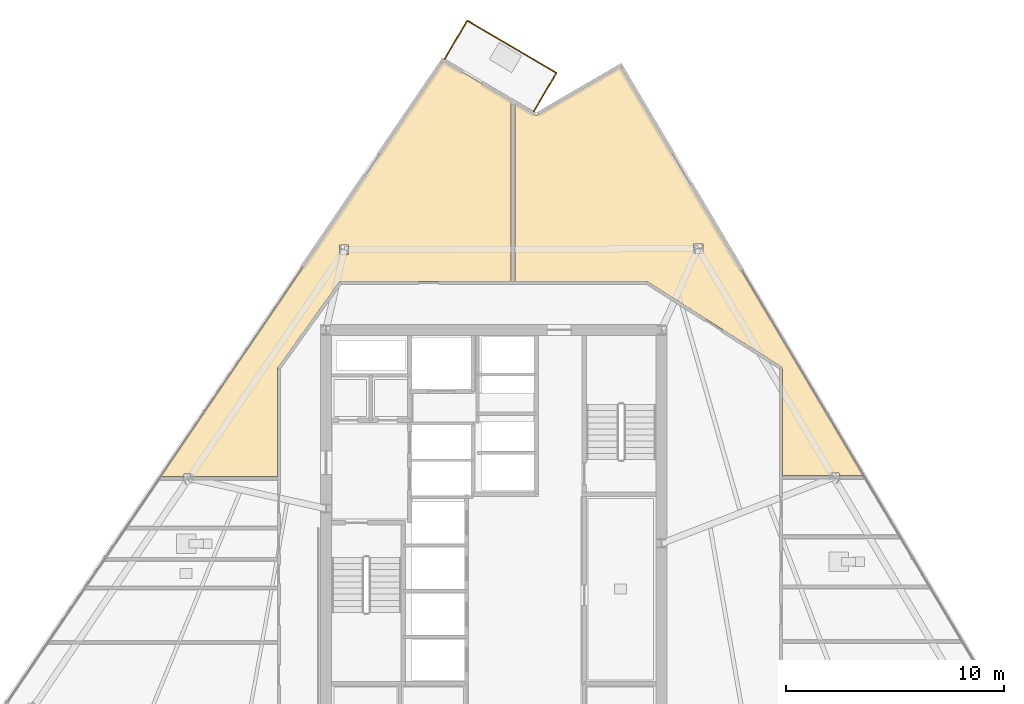
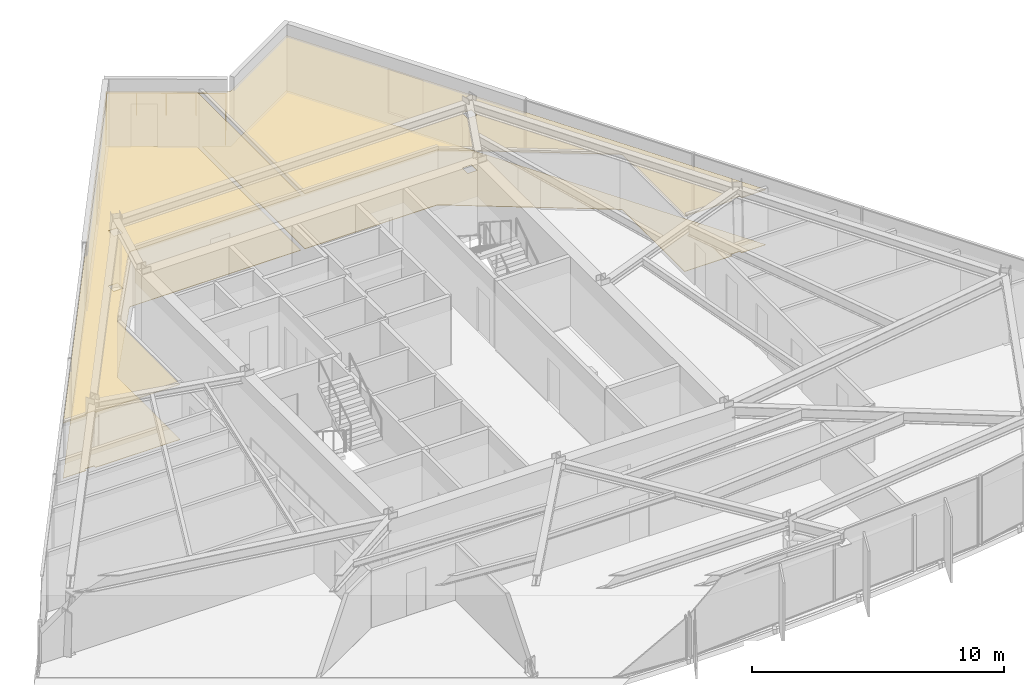
# One storey, part 15 of 16: 4 coverings, 3 railings.
"""IFC4 building model written with IfcOpenShell, lengths in metres."""

from ifc_helpers import new_model, si_unit, direction, frame, origin, origin_2d, place, context, subcontext, project, spatial, polyline, circle, outline, extrude, material, layer, layer_set, type_object, element, save


model = new_model("IFC4")

# Units and contexts
model_context = context("Model", 3, precision=1e-05, world=origin(), true_north=direction((0.0, 1.0)))
body_context = subcontext(model_context, "Body", "Model", "MODEL_VIEW")
ifc_project = project(units=[si_unit("LENGTHUNIT", "METRE"), si_unit("AREAUNIT", "SQUARE_METRE"), si_unit("VOLUMEUNIT", "CUBIC_METRE"), si_unit("PLANEANGLEUNIT", "RADIAN"), si_unit("MASSUNIT", "GRAM", prefix="KILO")], contexts=[model_context])

# Site, building, storey
site_placement = place(None, origin())
site = spatial("IfcSite", under=ifc_project, at=site_placement, CompositionType="ELEMENT")
building_placement = place(site_placement, origin())
building = spatial("IfcBuilding", under=site, at=building_placement, Name="Savorim Split Tower", CompositionType="ELEMENT")
storey_placement = place(building_placement, frame((0.0, 0.0, 156.60009765625)))
storey = spatial("IfcBuildingStorey", under=building, at=storey_placement, Name="L41", CompositionType="ELEMENT", Elevation=156.60009765625)

# Coverings
ifc_material_1 = material(Name="Mineral Fibre Acoustic Ceiling")
ifc_layer_1 = layer(ifc_material_1, 0.02490234375)
ifc_layer_set_1 = layer_set([ifc_layer_1], Name="COV-CEIL-25")
covering_type_1 = type_object("IfcCoveringType", Name="COV-CEIL-25", PredefinedType="CEILING", material=ifc_layer_set_1)
covering_1_placement = place(storey_placement, frame((0.0, 0.0, 2.669921875)))
element("IfcCovering", 1, at=covering_1_placement, inside=storey, type_object=covering_type_1, Name="L41 Co-Working Commons Acoustic Ceiling", PredefinedType="CEILING", context=body_context, shape_type="SweptSolid", body=[
    extrude(outline(polyline([(1.90380859375, 20.049560546875), (1.89306640625, 20.053955078125), (1.8828125, 20.059326171875), (0.973876953125, 20.593505859375), (0.973876953125, 12.419921875), (7.0, 12.419921875), (7.01318359375, 12.41943359375), (7.0263671875, 12.41748046875), (7.0390625, 12.414306640625), (7.051513671875, 12.41015625), (7.063720703125, 12.40478515625), (7.0751953125, 12.398193359375), (13.175048828125, 8.51806640625), (13.1865234375, 8.510009765625), (13.197265625, 8.500732421875), (13.206787109375, 8.490478515625), (13.21533203125, 8.479248046875), (13.22265625, 8.46728515625), (13.22900390625, 8.45458984375), (13.233642578125, 8.44140625), (13.2373046875, 8.427978515625), (13.2392578125, 8.4140625), (13.239990234375, 8.39990234375), (13.239990234375, 3.516845703125), (15.418701171875, 3.516845703125), (15.418701171875, 3.635498046875), (15.8427734375, 3.635498046875), (15.8427734375, 3.516845703125), (16.963623046875, 3.516845703125), (16.96533203125, 3.516845703125), (5.81005859375, 22.27734375), (2.00390625, 20.05908203125), (1.993896484375, 20.0537109375), (1.983154296875, 20.049560546875), (1.971923828125, 20.046142578125), (1.960693359375, 20.0439453125), (1.94921875, 20.04296875), (1.9375, 20.04296875), (1.926025390625, 20.044189453125), (1.914794921875, 20.04638671875), (1.90380859375, 20.049560546875)]), holes=[polyline([(9.59716796875, 14.138916015625), (9.173095703125, 14.138916015625), (9.173095703125, 13.7119140625), (9.59716796875, 13.7119140625), (9.59716796875, 14.138916015625)])]), origin(), (0.0, 0.0, 1.0), 0.02490234375),
])
covering_2_placement = place(storey_placement, frame((0.0, 0.0, 2.669921875)))
element("IfcCovering", 2, at=covering_2_placement, inside=storey, type_object=covering_type_1, Name="L41 Co-Working Commons Acoustic Ceiling", PredefinedType="CEILING", context=body_context, shape_type="SweptSolid", body=[
    extrude(outline(polyline([(-7.0, 12.419921875), (0.783935546875, 12.419921875), (0.783935546875, 20.705078125), (-2.322021484375, 22.530517578125), (-15.289794921875, 3.468017578125), (-14.224365234375, 3.468017578125), (-14.224365234375, 3.586669921875), (-13.80029296875, 3.586669921875), (-13.80029296875, 3.468017578125), (-9.919921875, 3.468017578125), (-9.919921875, 8.39990234375), (-9.919189453125, 8.41455078125), (-9.9169921875, 8.4287109375), (-9.913330078125, 8.44287109375), (-9.908203125, 8.456298828125), (-9.901611328125, 8.46923828125), (-9.893798828125, 8.4814453125), (-7.11376953125, 12.361572265625), (-7.105712890625, 12.3720703125), (-7.096435546875, 12.381591796875), (-7.086181640625, 12.39013671875), (-7.075439453125, 12.39794921875), (-7.06396484375, 12.404541015625), (-7.052001953125, 12.409912109375), (-7.039306640625, 12.414306640625), (-7.0263671875, 12.41748046875), (-7.01318359375, 12.41943359375), (-7.0, 12.419921875)]), holes=[polyline([(-6.6552734375, 14.090087890625), (-7.0791015625, 14.090087890625), (-7.0791015625, 13.6630859375), (-6.6552734375, 13.6630859375), (-6.6552734375, 14.090087890625)])]), origin(), (0.0, 0.0, 1.0), 0.02490234375),
])
ifc_material_2 = material(Name="Porcelain Stoneware Flooring", Category="masonry")
ifc_layer_2 = layer(ifc_material_2, 0.02001953125)
ifc_layer_set_2 = layer_set([ifc_layer_2], Name="COV-FLOR-20")
covering_type_2 = type_object("IfcCoveringType", Name="COV-FLOR-20", PredefinedType="FLOORING", material=ifc_layer_set_2)
covering_3_placement = place(storey_placement, origin())
element("IfcCovering", 3, at=covering_3_placement, inside=storey, type_object=covering_type_2, Name="L41 Co-Working Commons Porcelain Flooring", PredefinedType="FLOORING", context=body_context, shape_type="SweptSolid", body=[
    extrude(outline(polyline([(1.90380859375, 20.049560546875), (1.89306640625, 20.053955078125), (1.8828125, 20.059326171875), (0.973876953125, 20.593505859375), (0.973876953125, 12.419921875), (7.0, 12.419921875), (7.01318359375, 12.41943359375), (7.0263671875, 12.41748046875), (7.0390625, 12.414306640625), (7.051513671875, 12.41015625), (7.063720703125, 12.40478515625), (7.0751953125, 12.398193359375), (13.175048828125, 8.51806640625), (13.1865234375, 8.510009765625), (13.197265625, 8.500732421875), (13.206787109375, 8.490478515625), (13.21533203125, 8.479248046875), (13.22265625, 8.46728515625), (13.22900390625, 8.45458984375), (13.233642578125, 8.44140625), (13.2373046875, 8.427978515625), (13.2392578125, 8.4140625), (13.239990234375, 8.39990234375), (13.239990234375, 3.516845703125), (15.418701171875, 3.516845703125), (15.418701171875, 3.635498046875), (15.8427734375, 3.635498046875), (15.8427734375, 3.516845703125), (16.963623046875, 3.516845703125), (16.96533203125, 3.516845703125), (5.81005859375, 22.27734375), (2.00390625, 20.05908203125), (1.993896484375, 20.0537109375), (1.983154296875, 20.049560546875), (1.971923828125, 20.046142578125), (1.960693359375, 20.0439453125), (1.94921875, 20.04296875), (1.9375, 20.04296875), (1.926025390625, 20.044189453125), (1.914794921875, 20.04638671875), (1.90380859375, 20.049560546875)]), holes=[polyline([(9.59716796875, 14.138916015625), (9.173095703125, 14.138916015625), (9.173095703125, 13.7119140625), (9.59716796875, 13.7119140625), (9.59716796875, 14.138916015625)])]), origin(), (0.0, 0.0, 1.0), 0.02001953125),
])
covering_4_placement = place(storey_placement, origin())
element("IfcCovering", 4, at=covering_4_placement, inside=storey, type_object=covering_type_2, Name="L41 Co-Working Commons Porcelain Flooring", PredefinedType="FLOORING", context=body_context, shape_type="SweptSolid", body=[
    extrude(outline(polyline([(-7.0, 12.419921875), (0.783935546875, 12.419921875), (0.783935546875, 20.705078125), (-2.322021484375, 22.530517578125), (-15.289794921875, 3.468017578125), (-14.224365234375, 3.468017578125), (-14.224365234375, 3.586669921875), (-13.80029296875, 3.586669921875), (-13.80029296875, 3.468017578125), (-9.919921875, 3.468017578125), (-9.919921875, 8.39990234375), (-9.919189453125, 8.41455078125), (-9.9169921875, 8.4287109375), (-9.913330078125, 8.44287109375), (-9.908203125, 8.456298828125), (-9.901611328125, 8.46923828125), (-9.893798828125, 8.4814453125), (-7.11376953125, 12.361572265625), (-7.105712890625, 12.3720703125), (-7.096435546875, 12.381591796875), (-7.086181640625, 12.39013671875), (-7.075439453125, 12.39794921875), (-7.06396484375, 12.404541015625), (-7.052001953125, 12.409912109375), (-7.039306640625, 12.414306640625), (-7.0263671875, 12.41748046875), (-7.01318359375, 12.41943359375), (-7.0, 12.419921875)]), holes=[polyline([(-6.6552734375, 14.090087890625), (-7.0791015625, 14.090087890625), (-7.0791015625, 13.6630859375), (-6.6552734375, 13.6630859375), (-6.6552734375, 14.090087890625)])]), origin(), (0.0, 0.0, 1.0), 0.02001953125),
])

# Railings
ifc_material_3 = material(Name="Galvanised Painted Steel Balustrade", Category="steel")
railing_type = type_object("IfcRailingType", Name="RLG-BAL-1100", PredefinedType="BALUSTRADE", material=ifc_material_3)
railing_1_placement = place(storey_placement, frame((-2.254638671875, 22.630126953125, 0.0)))
element("IfcRailing", 5, at=railing_1_placement, inside=storey, type_object=railing_type, Name="L41 Tree Balcony Guardrail N-1", PredefinedType="BALUSTRADE", context=body_context, shape_type="SweptSolid", body=[
    extrude(circle(Radius=0.02392578125, at=origin_2d()), frame((0.0, 0.0, 1.076171875), z_axis=(0.506681829236, 0.862133124246, 0.0), x_axis=(-0.862133124246, 0.506681829236, 0.0)), (0.0, 0.0, 1.0), 2.05029296875),
    extrude(circle(Radius=0.02099609375, at=origin_2d()), origin(), (0.0, 0.0, 1.0), 1.052001953125),
    extrude(circle(Radius=0.02099609375, at=origin_2d()), frame((0.51953125, 0.8837890625, 0.0)), (0.0, 0.0, 1.0), 1.052001953125),
    extrude(circle(Radius=0.02099609375, at=origin_2d()), frame((1.038818359375, 1.767578125, 0.0)), (0.0, 0.0, 1.0), 1.052001953125),
])
railing_2_placement = place(storey_placement, frame((-1.2158203125, 24.397705078125, 0.0)))
element("IfcRailing", 6, at=railing_2_placement, inside=storey, type_object=railing_type, Name="L41 Tree Balcony Guardrail N-2", PredefinedType="BALUSTRADE", context=body_context, shape_type="SweptSolid", body=[
    extrude(circle(Radius=0.02392578125, at=origin_2d()), frame((0.0, 0.0, 1.076171875), z_axis=(0.862111227973, -0.506719084507, 0.0), x_axis=(0.506719084507, 0.862111227973, 0.0)), (0.0, 0.0, 1.0), 4.749755859375),
    extrude(circle(Radius=0.02099609375, at=origin_2d()), origin(), (0.0, 0.0, 1.0), 1.052001953125),
    extrude(circle(Radius=0.02099609375, at=origin_2d()), frame((1.023681640625, -0.6015625, 0.0)), (0.0, 0.0, 1.0), 1.052001953125),
    extrude(circle(Radius=0.02099609375, at=origin_2d()), frame((2.04736328125, -1.203369140625, 0.0)), (0.0, 0.0, 1.0), 1.052001953125),
    extrude(circle(Radius=0.02099609375, at=origin_2d()), frame((3.071044921875, -1.80517578125, 0.0)), (0.0, 0.0, 1.0), 1.052001953125),
    extrude(circle(Radius=0.02099609375, at=origin_2d()), frame((4.0947265625, -2.40673828125, 0.0)), (0.0, 0.0, 1.0), 1.052001953125),
])
railing_3_placement = place(storey_placement, frame((2.87890625, 21.990966796875, 0.0)))
element("IfcRailing", 7, at=railing_3_placement, inside=storey, type_object=railing_type, Name="L41 Tree Balcony Guardrail N-3", PredefinedType="BALUSTRADE", context=body_context, shape_type="SweptSolid", body=[
    extrude(circle(Radius=0.02392578125, at=origin_2d()), frame((0.0, 0.0, 1.076171875), z_axis=(-0.506733850669, -0.862102548764, 0.0), x_axis=(0.862102548764, -0.506733850669, 0.0)), (0.0, 0.0, 1.0), 2.050048828125),
    extrude(circle(Radius=0.02099609375, at=origin_2d()), origin(), (0.0, 0.0, 1.0), 1.052001953125),
    extrude(circle(Radius=0.02099609375, at=origin_2d()), frame((-0.51953125, -0.8837890625, 0.0)), (0.0, 0.0, 1.0), 1.052001953125),
    extrude(circle(Radius=0.02099609375, at=origin_2d()), frame((-1.038818359375, -1.767333984375, 0.0)), (0.0, 0.0, 1.0), 1.052001953125),
])

save(model, "model.ifc")
